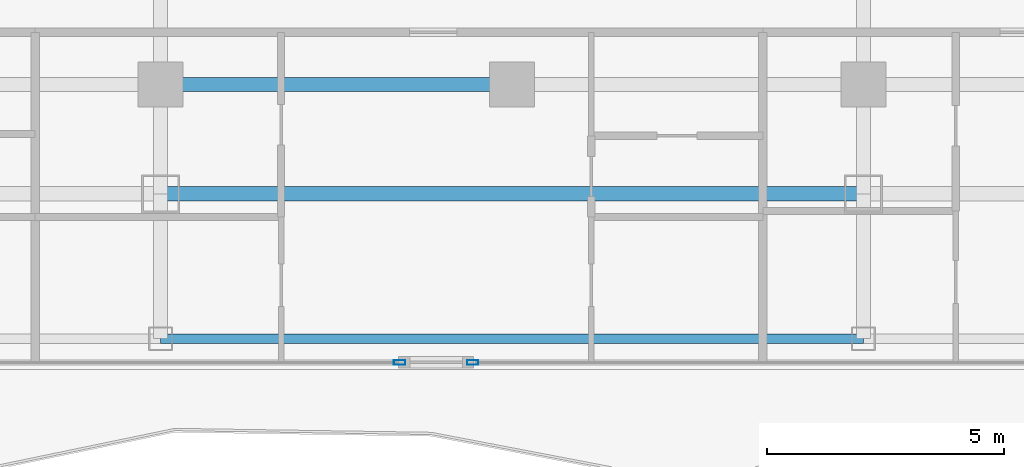
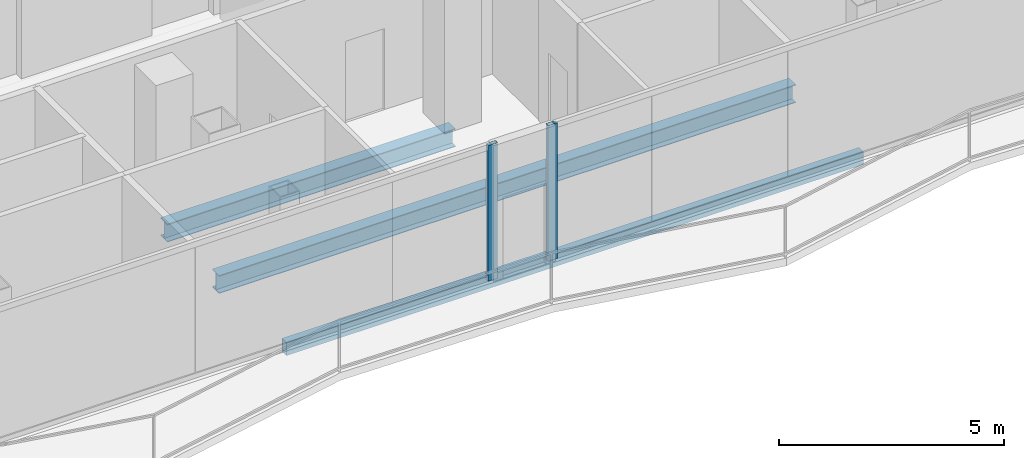
# One storey, part 4 of 23: 3 beams, 2 members, 2 elements without a shape of their own.
"""IFC4 building model written with IfcOpenShell, lengths in metres."""

import ifcopenshell
import ifcopenshell.guid

model = None  # the IFC model being written
_history = None  # IfcOwnerHistory: only IFC2X3 demands one
_inside = {}  # id of a spatial element -> (the spatial element, [elements in it])
_under = {}  # id of a project, library or spatial element -> (it, [spatial elements below it])
_declared = {}  # id of a project -> (the project, [libraries it declares])
_typed = {}  # id of a type object -> (the type object, [elements of that type])
_made_of = {}  # id of a material, layer set ... -> (it, [elements and type objects made of it])


def new_model(schema):
    """Start an empty IFC model of exactly this schema.

    Asked for "IFC4X3", IfcOpenShell would pick the latest addendum, in which some entities
    have other attributes; the version numbers below select the first issue.
    IFC2X3 requires an IfcOwnerHistory on every rooted entity: one is made here for all.
    """
    global model, _history
    if schema == "IFC4X3":
        model = ifcopenshell.file(schema_version=(4, 3, 0, 0))
    else:
        model = ifcopenshell.file(schema=schema)
    _inside.clear()
    _under.clear()
    _declared.clear()
    _typed.clear()
    _made_of.clear()
    _history = None
    if model.schema == "IFC2X3":
        org = make("IfcOrganization", Name="unknown")
        user = make(
            "IfcPersonAndOrganization",
            ThePerson=make("IfcPerson", FamilyName="unknown"),
            TheOrganization=org,
        )
        app = make(
            "IfcApplication",
            ApplicationDeveloper=org,
            Version="unknown",
            ApplicationFullName="unknown",
            ApplicationIdentifier="unknown",
        )
        _history = make(
            "IfcOwnerHistory",
            OwningUser=user,
            OwningApplication=app,
            ChangeAction="ADDED",
            CreationDate=0,
        )
    return model


def make(cls, **values):
    """One entity of the class cls with the attributes given. An attribute that is None is left unset."""
    return model.create_entity(
        cls, **{name: value for name, value in values.items() if value is not None}
    )


def rooted(cls, **values):
    """An entity with a GlobalId (a new one), such as an element, a storey or a relation."""
    return make(cls, GlobalId=ifcopenshell.guid.new(), OwnerHistory=_history, **values)


def si_unit(unit_type, name, prefix=None):
    """IfcSIUnit, for example si_unit("LENGTHUNIT", "METRE", prefix="MILLI")."""
    return make("IfcSIUnit", UnitType=unit_type, Prefix=prefix, Name=name)


def assignment(units):
    """IfcUnitAssignment: the units of a project."""
    return None if units is None else make("IfcUnitAssignment", Units=units)


def point(xyz):
    """IfcCartesianPoint."""
    return None if xyz is None else make("IfcCartesianPoint", Coordinates=xyz)


def direction(xyz):
    """IfcDirection."""
    return None if xyz is None else make("IfcDirection", DirectionRatios=xyz)


def frame(location, z_axis=None, x_axis=None):
    """IfcAxis2Placement3D, a coordinate frame: its origin and axes. An axis left out is left unset."""
    return make(
        "IfcAxis2Placement3D",
        Location=point(location),
        Axis=direction(z_axis),
        RefDirection=direction(x_axis),
    )


def frame_2d(location, x_axis=None):
    """IfcAxis2Placement2D, a coordinate frame in the plane: its origin and x axis."""
    return make(
        "IfcAxis2Placement2D", Location=point(location), RefDirection=direction(x_axis)
    )


def origin():
    """The frame at (0, 0, 0) with its axes left unset."""
    return frame((0.0, 0.0, 0.0))


def origin_2d():
    """The frame at (0, 0) in the plane with its x axis left unset."""
    return frame_2d((0.0, 0.0))


def place(relative_to, where):
    """IfcLocalPlacement: puts the frame where relative to a parent placement (None: the world)."""
    return make(
        "IfcLocalPlacement", PlacementRelTo=relative_to, RelativePlacement=where
    )


def context(
    kind, dimensions, precision=None, world=None, true_north=None, identifier=None
):
    """IfcGeometricRepresentationContext, for example the 3D "Model" context."""
    return make(
        "IfcGeometricRepresentationContext",
        ContextIdentifier=identifier,
        ContextType=kind,
        CoordinateSpaceDimension=dimensions,
        Precision=precision,
        WorldCoordinateSystem=world,
        TrueNorth=true_north,
    )


def subcontext(parent, identifier, kind, view, scale=None):
    """IfcGeometricRepresentationSubContext, for example "Body" below "Model"."""
    return make(
        "IfcGeometricRepresentationSubContext",
        ContextIdentifier=identifier,
        ContextType=kind,
        ParentContext=parent,
        TargetScale=scale,
        TargetView=view,
    )


def project(units=None, contexts=None):
    """IfcProject with its units and contexts."""
    return rooted(
        "IfcProject",
        Name="project",
        RepresentationContexts=contexts,
        UnitsInContext=assignment(units),
    )


def spatial(cls, under=None, at=None, **own):
    """A site, building, storey or space (cls), placed at a placement, below another one or the project."""
    s = rooted(cls, ObjectPlacement=at, **own)
    if under is not None:
        _under.setdefault(under.id(), (under, []))[1].append(s)
    return s


def profile(cls, at=None, kind="AREA", **sizes):
    """A parametric profile (cls). Its sizes go by their IFC names, for example OverallWidth=200.0."""
    return make(cls, ProfileType=kind, Position=at, **sizes)


def hollow_rectangle(**sizes):
    """IfcRectangleHollowProfileDef."""
    return profile("IfcRectangleHollowProfileDef", **sizes)


def i_section(**sizes):
    """IfcIShapeProfileDef."""
    return profile("IfcIShapeProfileDef", **sizes)


def extrude(swept, where, along, depth):
    """IfcExtrudedAreaSolid: the profile swept, set in the frame where, extruded along a direction by depth."""
    return make(
        "IfcExtrudedAreaSolid",
        SweptArea=swept,
        Position=where,
        ExtrudedDirection=direction(along),
        Depth=depth,
    )


def shape(context_of_items, identifier, shape_type, items):
    """IfcShapeRepresentation: the items that make up one representation, for example the "Body"."""
    return make(
        "IfcShapeRepresentation",
        ContextOfItems=context_of_items,
        RepresentationIdentifier=identifier,
        RepresentationType=shape_type,
        Items=items,
    )


def material(Name=None, Category=None):
    """IfcMaterial."""
    return make("IfcMaterial", Name=Name, Category=Category)


def layer(
    of_material, thickness, ventilated=None, Name=None, Category=None, Priority=None
):
    """IfcMaterialLayer: one layer of a wall or slab, of a material (None: an air gap)."""
    return make(
        "IfcMaterialLayer",
        Material=of_material,
        LayerThickness=thickness,
        IsVentilated=ventilated,
        Name=Name,
        Category=Category,
        Priority=Priority,
    )


def layer_set(layers, Name=None):
    """IfcMaterialLayerSet."""
    return make("IfcMaterialLayerSet", MaterialLayers=layers, LayerSetName=Name)


def material_profile(
    of_material, cross_section, Name=None, Category=None, Priority=None
):
    """IfcMaterialProfile: a cross section and its material."""
    return make(
        "IfcMaterialProfile",
        Name=Name,
        Material=of_material,
        Profile=cross_section,
        Priority=Priority,
        Category=Category,
    )


def profile_set(profiles, Name=None, composite=None):
    """IfcMaterialProfileSet."""
    return make(
        "IfcMaterialProfileSet",
        Name=Name,
        MaterialProfiles=profiles,
        CompositeProfile=composite,
    )


def made_of(thing, what):
    """Note that an element or type object is made of a material, layer set ...; save() writes the relation."""
    if what is not None:
        _made_of.setdefault(what.id(), (what, []))[1].append(thing)
    return thing


def type_object(cls, material=None, **own):
    """A type object (cls), such as IfcWallType, which elements share."""
    return made_of(rooted(cls, **own), material)


def element(
    cls,
    number,
    at=None,
    inside=None,
    cuts=None,
    type_object=None,
    material=None,
    context=None,
    identifier="Body",
    shape_type=None,
    held_by="IfcProductDefinitionShape",
    body=None,
    shapes=None,
    **own,
):
    """One element of the class cls, such as IfcWall. Its Tag is "e" and its number.

    at: its placement. inside: the storey or other place that contains it. cuts: it is an
    opening in that element (IfcRelVoidsElement). A single representation is given by context,
    identifier, shape_type and body (its items); several are given by shapes. held_by: the class
    of the entity that holds the representations. save() writes the other relations.
    """
    e = rooted(cls, Tag="e%d" % number, ObjectPlacement=at, **own)
    if body is not None:
        shapes = [shape(context, identifier, shape_type, body)]
    if shapes is not None:
        e.Representation = make(held_by, Representations=shapes)
    if inside is not None:
        _inside.setdefault(inside.id(), (inside, []))[1].append(e)
    if cuts is not None:
        rooted(
            "IfcRelVoidsElement", RelatingBuildingElement=cuts, RelatedOpeningElement=e
        )
    if type_object is not None:
        _typed.setdefault(type_object.id(), (type_object, []))[1].append(e)
    return made_of(e, material)


def aggregate(whole, parts):
    """IfcRelAggregates: a whole, such as a stair, and the parts it consists of."""
    return rooted("IfcRelAggregates", RelatingObject=whole, RelatedObjects=parts)


def save(model, path):
    """Write the relations noted so far, then the file.

    IfcRelAggregates (storeys below a building ...), IfcRelContainedInSpatialStructure (elements
    in a storey), IfcRelDefinesByType, IfcRelAssociatesMaterial and IfcRelDeclares: one each for
    every whole, place, type object, material and project.
    """
    for whole, parts in _under.values():
        aggregate(whole, parts)
    for where, things in _inside.values():
        rooted(
            "IfcRelContainedInSpatialStructure",
            RelatedElements=things,
            RelatingStructure=where,
        )
    for kind, things in _typed.values():
        rooted("IfcRelDefinesByType", RelatedObjects=things, RelatingType=kind)
    for what, things in _made_of.values():
        rooted("IfcRelAssociatesMaterial", RelatedObjects=things, RelatingMaterial=what)
    for by, libraries in _declared.values():
        rooted("IfcRelDeclares", RelatingContext=by, RelatedDefinitions=libraries)
    model.write(path)


model = new_model("IFC4")

# Units and contexts
model_context = context("Model", 3, precision=1e-05, world=origin(), true_north=direction((0.0, 1.0)))
body_context = subcontext(model_context, "Body", "Model", "MODEL_VIEW")
ifc_project = project(units=[si_unit("LENGTHUNIT", "METRE"), si_unit("AREAUNIT", "SQUARE_METRE"), si_unit("VOLUMEUNIT", "CUBIC_METRE"), si_unit("PLANEANGLEUNIT", "RADIAN"), si_unit("MASSUNIT", "GRAM", prefix="KILO")], contexts=[model_context])

# Site, building, storey
site_placement = place(None, origin())
site = spatial("IfcSite", under=ifc_project, at=site_placement, CompositionType="ELEMENT")
building_placement = place(site_placement, origin())
building = spatial("IfcBuilding", under=site, at=building_placement, Name="Khorvyn Point Tower", CompositionType="ELEMENT")
storey_placement = place(building_placement, frame((0.0, 0.0, 297.60009765625)))
storey = spatial("IfcBuildingStorey", under=building, at=storey_placement, Name="L73", CompositionType="ELEMENT", Elevation=297.60009765625)

# Curtain wall, member
ifc_material_1 = material(Name="Anodised aluminium 6063-T6 and laminated Low-E glass", Category="aluminium")
ifc_layer = layer(ifc_material_1, 0.18994140625)
ifc_layer_set = layer_set([ifc_layer], Name="Stick-Built High-Wind Curtain Wall CW-SYS-04")
curtain_wall_type = type_object("IfcCurtainWallType", Name="Stick-Built High-Wind Curtain Wall CW-SYS-04", PredefinedType="NOTDEFINED", material=ifc_layer_set)
curtain_wall_1_placement = place(storey_placement, origin())
curtain_wall_1 = element("IfcCurtainWall", 1, at=curtain_wall_1_placement, inside=storey, type_object=curtain_wall_type, Name="Curtain Wall", PredefinedType="NOTDEFINED")
ifc_material_2 = material(Name="Anodised aluminium 6063-T6", Category="aluminium")
ifc_material_profile_1 = material_profile(ifc_material_2, hollow_rectangle(XDim=0.10009765625, YDim=0.239990234375, WallThickness=0.0048828125, at=origin_2d()))
ifc_profile_set_1 = profile_set([ifc_material_profile_1], Name="Anodised aluminium 6063-T6 ALU-MUL-100x240")
member_type = type_object("IfcMemberType", Name="Anodised Aluminium 6063-T6 Mullion ALU-MUL-100x240", PredefinedType="MULLION", material=ifc_profile_set_1)
member_1_placement = place(storey_placement, frame((-0.826904296875, -20.64990234375, 0.0), z_axis=(0.0, 0.0, 1.0), x_axis=(0.0, -1.0, 0.0)))
member_1 = element("IfcMember", 2, at=member_1_placement, type_object=member_type, Name="Transom", PredefinedType="MULLION", context=body_context, shape_type="SweptSolid", body=[
    extrude(hollow_rectangle(XDim=0.10009765625, YDim=0.239990234375, WallThickness=0.0048828125, at=origin_2d()), origin(), (0.0, 0.0, 1.0), 3.679931640625),
])
aggregate(curtain_wall_1, [member_1])

curtain_wall_2_placement = place(storey_placement, origin())
curtain_wall_2 = element("IfcCurtainWall", 3, at=curtain_wall_2_placement, inside=storey, type_object=curtain_wall_type, Name="Curtain Wall", PredefinedType="NOTDEFINED")
member_2_placement = place(storey_placement, frame((-2.366943359375, -20.64990234375, 0.0), z_axis=(0.0, 0.0, 1.0), x_axis=(0.0, -1.0, 0.0)))
member_2 = element("IfcMember", 4, at=member_2_placement, type_object=member_type, Name="Transom", PredefinedType="MULLION", context=body_context, shape_type="SweptSolid", body=[
    extrude(hollow_rectangle(XDim=0.10009765625, YDim=0.239990234375, WallThickness=0.0048828125, at=origin_2d()), origin(), (0.0, 0.0, 1.0), 3.679931640625),
])
aggregate(curtain_wall_2, [member_2])

# Beams
ifc_material_3 = material(Name="Steel S355", Category="steel")
ifc_material_profile_2 = material_profile(ifc_material_3, i_section(OverallWidth=0.300048828125, OverallDepth=0.488037109375, WebThickness=0.010986328125, FlangeThickness=0.01806640625, at=origin_2d()))
ifc_profile_set_2 = profile_set([ifc_material_profile_2], Name="Steel S355 H488x300x11x18")
beam_type_1 = type_object("IfcBeamType", Name="Steel S355 Spandrel H488x300x11x18", PredefinedType="SPANDREL", material=ifc_profile_set_2)
beam_1_placement = place(storey_placement, frame((-7.39990234375, -14.800048828125, -0.464111328125), z_axis=(1.0, 0.0, 0.0), x_axis=(0.0, 1.0, 0.0)))
element("IfcBeam", 5, at=beam_1_placement, inside=storey, type_object=beam_type_1, Name="Beam", PredefinedType="SPANDREL", context=body_context, shape_type="SweptSolid", body=[
    extrude(i_section(OverallWidth=0.300048828125, OverallDepth=0.488037109375, WebThickness=0.010986328125, FlangeThickness=0.01806640625, at=origin_2d()), origin(), (0.0, 0.0, 1.0), 7.39990234375),
])
beam_2_placement = place(storey_placement, frame((-7.39990234375, -17.10009765625, -0.464111328125), z_axis=(1.0, 0.0, 0.0), x_axis=(0.0, 1.0, 0.0)))
element("IfcBeam", 6, at=beam_2_placement, inside=storey, type_object=beam_type_1, Name="Beam", PredefinedType="SPANDREL", context=body_context, shape_type="SweptSolid", body=[
    extrude(i_section(OverallWidth=0.300048828125, OverallDepth=0.488037109375, WebThickness=0.010986328125, FlangeThickness=0.01806640625, at=origin_2d()), origin(), (0.0, 0.0, 1.0), 14.7998046875),
])
ifc_material_profile_3 = material_profile(ifc_material_3, hollow_rectangle(XDim=0.199951171875, YDim=0.35009765625, WallThickness=0.013916015625, at=origin_2d()))
ifc_profile_set_3 = profile_set([ifc_material_profile_3], Name="Steel S355 RHS350x200x14")
beam_type_2 = type_object("IfcBeamType", Name="Steel S355 Spandrel RHS350x200x14", PredefinedType="SPANDREL", material=ifc_profile_set_3)
beam_3_placement = place(storey_placement, frame((-7.39990234375, -20.14990234375, -0.39501953125), z_axis=(1.0, 0.0, 0.0), x_axis=(0.0, 1.0, 0.0)))
element("IfcBeam", 7, at=beam_3_placement, inside=storey, type_object=beam_type_2, Name="Beam", PredefinedType="SPANDREL", context=body_context, shape_type="SweptSolid", body=[
    extrude(hollow_rectangle(XDim=0.199951171875, YDim=0.35009765625, WallThickness=0.013916015625, at=origin_2d()), origin(), (0.0, 0.0, 1.0), 14.7998046875),
])

save(model, "model.ifc")
